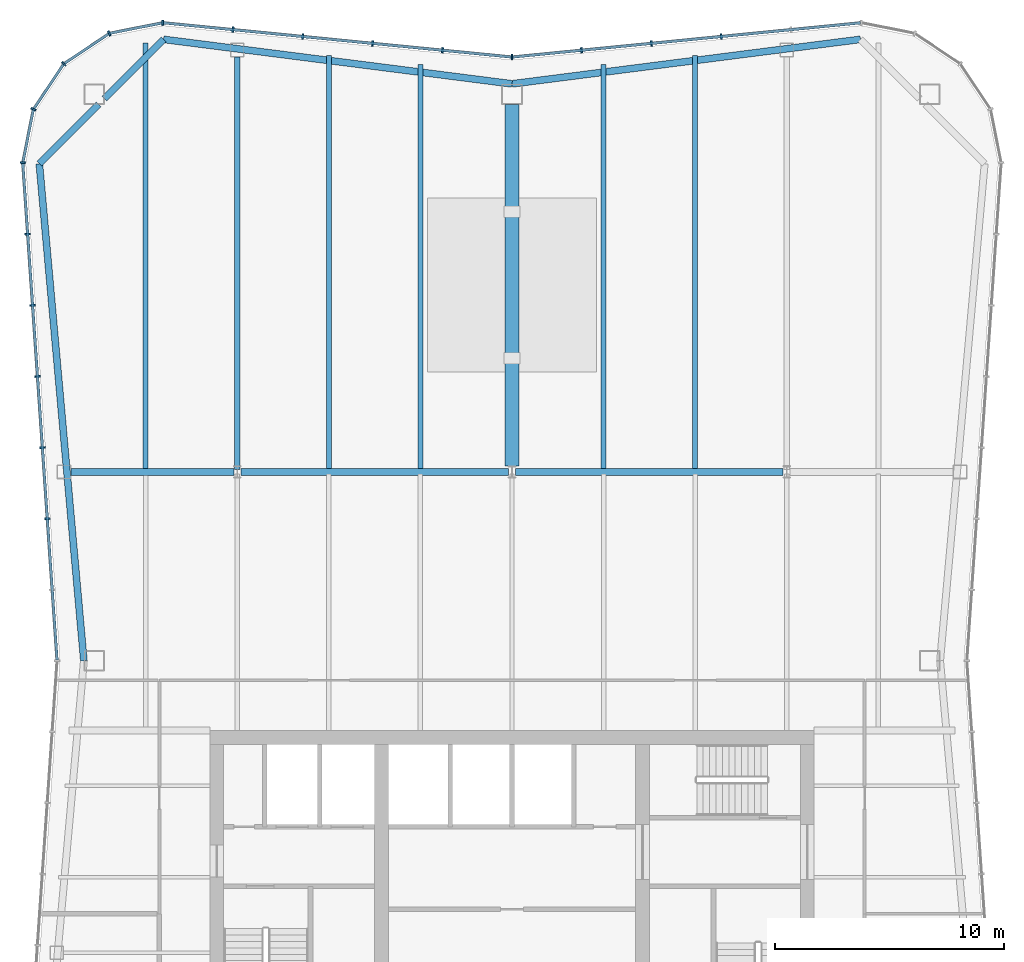
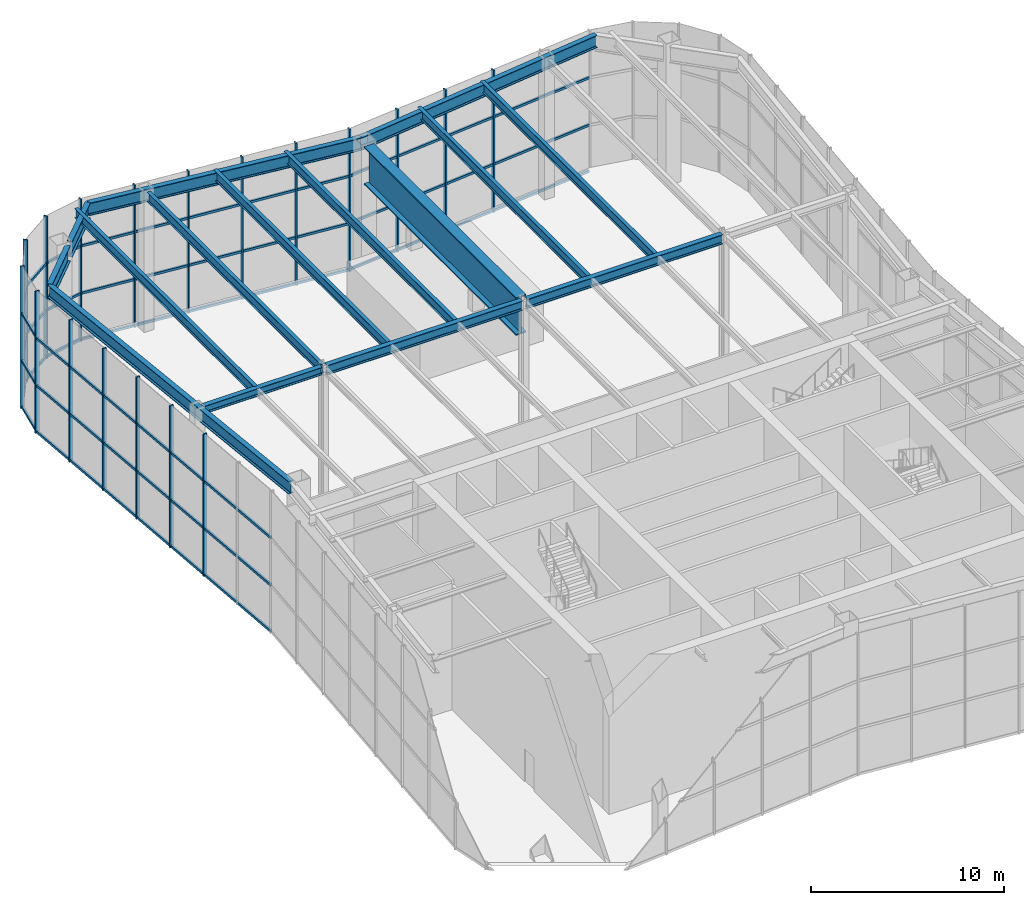
# One storey, part 6 of 16: 39 members, 15 beams, 3 elements without a shape of their own.
"""IFC4 building model written with IfcOpenShell, lengths in metres."""

from ifc_helpers import new_model, si_unit, direction, frame, origin, origin_2d, place, context, subcontext, project, spatial, rectangle, i_section, extrude, material, material_profile, profile_set, type_object, element, aggregate, save


model = new_model("IFC4")

# Units and contexts
model_context = context("Model", 3, precision=1e-05, world=origin(), true_north=direction((0.0, 1.0)))
body_context = subcontext(model_context, "Body", "Model", "MODEL_VIEW")
ifc_project = project(units=[si_unit("LENGTHUNIT", "METRE"), si_unit("AREAUNIT", "SQUARE_METRE"), si_unit("VOLUMEUNIT", "CUBIC_METRE"), si_unit("PLANEANGLEUNIT", "RADIAN"), si_unit("MASSUNIT", "GRAM", prefix="KILO")], contexts=[model_context])

# Site, building, storey
site_placement = place(None, origin())
site = spatial("IfcSite", under=ifc_project, at=site_placement, CompositionType="ELEMENT")
building_placement = place(site_placement, origin())
building = spatial("IfcBuilding", under=site, at=building_placement, Name="Verdant Reach Tower", CompositionType="ELEMENT")
storey_placement = place(building_placement, frame((0.0, 0.0, 340.5)))
storey = spatial("IfcBuildingStorey", under=building, at=storey_placement, Name="L78 Damper", CompositionType="ELEMENT", Elevation=340.5)

# Curtain wall, members
ifc_material_1 = material(Name="Anodised aluminium", Category="aluminium")
curtain_wall_type = type_object("IfcCurtainWallType", Name="EN-CW SYSTEM CROWN DAMPER", PredefinedType="NOTDEFINED", material=ifc_material_1)
curtain_wall_1_placement = place(storey_placement, origin())
curtain_wall_1 = element("IfcCurtainWall", 1, at=curtain_wall_1_placement, inside=storey, type_object=curtain_wall_type, Name="Curtain wall north, L78", PredefinedType="NOTDEFINED")
ifc_material_profile_1 = material_profile(ifc_material_1, rectangle(XDim=0.238037109375, YDim=0.080078125, at=origin_2d()), Name="Mullion 80x240")
ifc_profile_set_1 = profile_set([ifc_material_profile_1], Name="Anodised aluminium")
member_type_1 = type_object("IfcMemberType", Name="EN-MULLION PLANT", PredefinedType="MULLION", material=ifc_profile_set_1)
member_1_placement = place(storey_placement, frame((9.138427734375, 68.518310546875, -0.35009765625), z_axis=(0.0, 0.0, 1.0), x_axis=(-0.09788826992, 0.995197410875, 0.0)))
member_1 = element("IfcMember", 2, at=member_1_placement, type_object=member_type_1, Name="Mullion north face part 1 3, L78", PredefinedType="MULLION", context=body_context, shape_type="SweptSolid", body=[
    extrude(rectangle(XDim=0.238037109375, YDim=0.080078125, at=origin_2d()), origin(), (0.0, 0.0, 1.0), 9.0),
])
member_2_placement = place(storey_placement, frame((6.08837890625, 68.218505859375, -0.35009765625), z_axis=(0.0, 0.0, 1.0), x_axis=(-0.09788826992, 0.995197410875, 0.0)))
member_2 = element("IfcMember", 3, at=member_2_placement, type_object=member_type_1, Name="Mullion north face part 1 4, L78", PredefinedType="MULLION", context=body_context, shape_type="SweptSolid", body=[
    extrude(rectangle(XDim=0.238037109375, YDim=0.080078125, at=origin_2d()), origin(), (0.0, 0.0, 1.0), 9.0),
])
member_3_placement = place(storey_placement, frame((3.038330078125, 67.91845703125, -0.35009765625), z_axis=(0.0, 0.0, 1.0), x_axis=(-0.09788826992, 0.995197410875, 0.0)))
member_3 = element("IfcMember", 4, at=member_3_placement, type_object=member_type_1, Name="Mullion north face part 1 5, L78", PredefinedType="MULLION", context=body_context, shape_type="SweptSolid", body=[
    extrude(rectangle(XDim=0.238037109375, YDim=0.080078125, at=origin_2d()), origin(), (0.0, 0.0, 1.0), 9.0),
])
member_4_placement = place(storey_placement, frame((0.0, 67.618896484375, -0.35009765625), z_axis=(0.0, 0.0, 1.0), x_axis=(0.0, 1.0, 0.0)))
member_4 = element("IfcMember", 5, at=member_4_placement, type_object=member_type_1, Name="Mullion north face part 2 1, L78", PredefinedType="MULLION", context=body_context, shape_type="SweptSolid", body=[
    extrude(rectangle(XDim=0.238037109375, YDim=0.080078125, at=origin_2d()), origin(), (0.0, 0.0, 1.0), 9.0),
])
member_5_placement = place(storey_placement, frame((-3.038330078125, 67.91845703125, -0.35009765625), z_axis=(0.0, 0.0, 1.0), x_axis=(0.09788826992, 0.995197410875, 0.0)))
member_5 = element("IfcMember", 6, at=member_5_placement, type_object=member_type_1, Name="Mullion north face part 2 2, L78", PredefinedType="MULLION", context=body_context, shape_type="SweptSolid", body=[
    extrude(rectangle(XDim=0.238037109375, YDim=0.080078125, at=origin_2d()), origin(), (0.0, 0.0, 1.0), 9.0),
])
member_6_placement = place(storey_placement, frame((-6.08837890625, 68.218505859375, -0.35009765625), z_axis=(0.0, 0.0, 1.0), x_axis=(0.09788826992, 0.995197410875, 0.0)))
member_6 = element("IfcMember", 7, at=member_6_placement, type_object=member_type_1, Name="Mullion north face part 2 3, L78", PredefinedType="MULLION", context=body_context, shape_type="SweptSolid", body=[
    extrude(rectangle(XDim=0.238037109375, YDim=0.080078125, at=origin_2d()), origin(), (0.0, 0.0, 1.0), 9.0),
])
member_7_placement = place(storey_placement, frame((-9.138427734375, 68.518310546875, -0.35009765625), z_axis=(0.0, 0.0, 1.0), x_axis=(0.09788826992, 0.995197410875, 0.0)))
member_7 = element("IfcMember", 8, at=member_7_placement, type_object=member_type_1, Name="Mullion north face part 2 4, L78", PredefinedType="MULLION", context=body_context, shape_type="SweptSolid", body=[
    extrude(rectangle(XDim=0.238037109375, YDim=0.080078125, at=origin_2d()), origin(), (0.0, 0.0, 1.0), 9.0),
])
member_8_placement = place(storey_placement, frame((-12.188232421875, 68.818359375, -0.35009765625), z_axis=(0.0, 0.0, 1.0), x_axis=(0.09788826992, 0.995197410875, 0.0)))
member_8 = element("IfcMember", 9, at=member_8_placement, type_object=member_type_1, Name="Mullion north face part 2 5, L78", PredefinedType="MULLION", context=body_context, shape_type="SweptSolid", body=[
    extrude(rectangle(XDim=0.238037109375, YDim=0.080078125, at=origin_2d()), origin(), (0.0, 0.0, 1.0), 9.0),
])

curtain_wall_2_placement = place(storey_placement, origin())
curtain_wall_2 = element("IfcCurtainWall", 10, at=curtain_wall_2_placement, inside=storey, type_object=curtain_wall_type, Name="Curtain wall north-west corner, L78", PredefinedType="NOTDEFINED")
member_9_placement = place(storey_placement, frame((-15.255859375, 69.118896484375, -0.35009765625), z_axis=(0.0, 0.0, 1.0), x_axis=(-0.049127596288, 0.998792510626, 0.0)))
member_9 = element("IfcMember", 11, at=member_9_placement, type_object=member_type_1, Name="Mullion north-west corner 1, L78", PredefinedType="MULLION", context=body_context, shape_type="SweptSolid", body=[
    extrude(rectangle(XDim=0.238037109375, YDim=0.080078125, at=origin_2d()), origin(), (0.0, 0.0, 1.0), 9.0),
])
member_10_placement = place(storey_placement, frame((-17.591552734375, 68.6533203125, -0.35009765625), z_axis=(0.0, 0.0, 1.0), x_axis=(-0.382693853776, 0.923875215753, 0.0)))
member_10 = element("IfcMember", 12, at=member_10_placement, type_object=member_type_1, Name="Mullion north-west corner 2, L78", PredefinedType="MULLION", context=body_context, shape_type="SweptSolid", body=[
    extrude(rectangle(XDim=0.238037109375, YDim=0.080078125, at=origin_2d()), origin(), (0.0, 0.0, 1.0), 9.0),
])
member_11_placement = place(storey_placement, frame((-19.57666015625, 67.32666015625, -0.35009765625), z_axis=(0.0, 0.0, 1.0), x_axis=(-0.707106781187, 0.707106781187, 0.0)))
member_11 = element("IfcMember", 13, at=member_11_placement, type_object=member_type_1, Name="Mullion north-west corner 3, L78", PredefinedType="MULLION", context=body_context, shape_type="SweptSolid", body=[
    extrude(rectangle(XDim=0.238037109375, YDim=0.080078125, at=origin_2d()), origin(), (0.0, 0.0, 1.0), 9.0),
])
member_12_placement = place(storey_placement, frame((-20.9033203125, 65.341552734375, -0.35009765625), z_axis=(0.0, 0.0, 1.0), x_axis=(-0.923875215753, 0.382693853776, 0.0)))
member_12 = element("IfcMember", 14, at=member_12_placement, type_object=member_type_1, Name="Mullion north-west corner 4, L78", PredefinedType="MULLION", context=body_context, shape_type="SweptSolid", body=[
    extrude(rectangle(XDim=0.238037109375, YDim=0.080078125, at=origin_2d()), origin(), (0.0, 0.0, 1.0), 9.0),
])

curtain_wall_3_placement = place(storey_placement, origin())
curtain_wall_3 = element("IfcCurtainWall", 15, at=curtain_wall_3_placement, inside=storey, type_object=curtain_wall_type, Name="Curtain wall west, L78", PredefinedType="NOTDEFINED")
member_13_placement = place(storey_placement, frame((-21.36865234375, 63.007568359375, -0.35009765625), z_axis=(0.0, 0.0, 1.0), x_axis=(-0.997969180898, 0.063698618332, 0.0)))
member_13 = element("IfcMember", 16, at=member_13_placement, type_object=member_type_1, Name="Mullion west face part 1 1, L78", PredefinedType="MULLION", context=body_context, shape_type="SweptSolid", body=[
    extrude(rectangle(XDim=0.238037109375, YDim=0.080078125, at=origin_2d()), origin(), (0.0, 0.0, 1.0), 9.0),
])
member_14_placement = place(storey_placement, frame((-21.154541015625, 59.884765625, -0.35009765625), z_axis=(0.0, 0.0, 1.0), x_axis=(-0.997630328423, -0.068802091615, 0.0)))
member_14 = element("IfcMember", 17, at=member_14_placement, type_object=member_type_1, Name="Mullion west face part 1 2, L78", PredefinedType="MULLION", context=body_context, shape_type="SweptSolid", body=[
    extrude(rectangle(XDim=0.238037109375, YDim=0.080078125, at=origin_2d()), origin(), (0.0, 0.0, 1.0), 9.0),
])
member_15_placement = place(storey_placement, frame((-20.940185546875, 56.777587890625, -0.35009765625), z_axis=(0.0, 0.0, 1.0), x_axis=(-0.997630328423, -0.068802091615, 0.0)))
member_15 = element("IfcMember", 18, at=member_15_placement, type_object=member_type_1, Name="Mullion west face part 1 3, L78", PredefinedType="MULLION", context=body_context, shape_type="SweptSolid", body=[
    extrude(rectangle(XDim=0.238037109375, YDim=0.080078125, at=origin_2d()), origin(), (0.0, 0.0, 1.0), 9.0),
])
member_16_placement = place(storey_placement, frame((-20.725830078125, 53.67041015625, -0.35009765625), z_axis=(0.0, 0.0, 1.0), x_axis=(-0.997630328423, -0.068802091615, 0.0)))
member_16 = element("IfcMember", 19, at=member_16_placement, type_object=member_type_1, Name="Mullion west face part 1 4, L78", PredefinedType="MULLION", context=body_context, shape_type="SweptSolid", body=[
    extrude(rectangle(XDim=0.238037109375, YDim=0.080078125, at=origin_2d()), origin(), (0.0, 0.0, 1.0), 9.0),
])
member_17_placement = place(storey_placement, frame((-20.511474609375, 50.563232421875, -0.35009765625), z_axis=(0.0, 0.0, 1.0), x_axis=(-0.997630328423, -0.068802091615, 0.0)))
member_17 = element("IfcMember", 20, at=member_17_placement, type_object=member_type_1, Name="Mullion west face part 1 5, L78", PredefinedType="MULLION", context=body_context, shape_type="SweptSolid", body=[
    extrude(rectangle(XDim=0.238037109375, YDim=0.080078125, at=origin_2d()), origin(), (0.0, 0.0, 1.0), 9.0),
])
member_18_placement = place(storey_placement, frame((-20.29736328125, 47.4560546875, -0.35009765625), z_axis=(0.0, 0.0, 1.0), x_axis=(-0.997630328423, -0.068802091615, 0.0)))
member_18 = element("IfcMember", 21, at=member_18_placement, type_object=member_type_1, Name="Mullion west face part 1 6, L78", PredefinedType="MULLION", context=body_context, shape_type="SweptSolid", body=[
    extrude(rectangle(XDim=0.238037109375, YDim=0.080078125, at=origin_2d()), origin(), (0.0, 0.0, 1.0), 9.0),
])

# Member
ifc_material_profile_2 = material_profile(ifc_material_1, rectangle(XDim=0.1201171875, YDim=0.14990234375, at=origin_2d()), Name="Transom 150x120")
ifc_profile_set_2 = profile_set([ifc_material_profile_2], Name="Anodised aluminium")
member_type_2 = type_object("IfcMemberType", Name="EN-TRANSOM PLANT", PredefinedType="USERDEFINED", material=ifc_profile_set_2)
member_19_placement = place(storey_placement, frame((15.216064453125, 69.114990234375, -0.27490234375), z_axis=(-0.995200989722, -0.097851878144, 0.0), x_axis=(0.097851878144, -0.995200989722, 0.0)))
member_19 = element("IfcMember", 22, at=member_19_placement, type_object=member_type_2, Name="Transom north face part 1 1.1, L78", ObjectType="TRANSOM", PredefinedType="USERDEFINED", context=body_context, shape_type="SweptSolid", body=[
    extrude(rectangle(XDim=0.1201171875, YDim=0.14990234375, at=origin_2d()), origin(), (0.0, 0.0, 1.0), 15.24951171875),
])

member_20_placement = place(storey_placement, frame((15.216064453125, 69.114990234375, 2.64990234375), z_axis=(-0.995200989722, -0.097851878144, 0.0), x_axis=(0.097851878144, -0.995200989722, 0.0)))
member_20 = element("IfcMember", 23, at=member_20_placement, type_object=member_type_2, Name="Transom north face part 1 1.2, L78", ObjectType="TRANSOM", PredefinedType="USERDEFINED", context=body_context, shape_type="SweptSolid", body=[
    extrude(rectangle(XDim=0.1201171875, YDim=0.14990234375, at=origin_2d()), origin(), (0.0, 0.0, 1.0), 15.24951171875),
])

member_21_placement = place(storey_placement, frame((15.216064453125, 69.114990234375, 5.64990234375), z_axis=(-0.995200989722, -0.097851878144, 0.0), x_axis=(0.097851878144, -0.995200989722, 0.0)))
member_21 = element("IfcMember", 24, at=member_21_placement, type_object=member_type_2, Name="Transom north face part 1 1.3, L78", ObjectType="TRANSOM", PredefinedType="USERDEFINED", context=body_context, shape_type="SweptSolid", body=[
    extrude(rectangle(XDim=0.1201171875, YDim=0.14990234375, at=origin_2d()), origin(), (0.0, 0.0, 1.0), 15.24951171875),
])

member_22_placement = place(storey_placement, frame((-0.039794921875, 67.622802734375, -0.27490234375), z_axis=(-0.995200989722, 0.097851878144, 0.0), x_axis=(-0.097851878144, -0.995200989722, 0.0)))
member_22 = element("IfcMember", 25, at=member_22_placement, type_object=member_type_2, Name="Transom north face part 2 1.1, L78", ObjectType="TRANSOM", PredefinedType="USERDEFINED", context=body_context, shape_type="SweptSolid", body=[
    extrude(rectangle(XDim=0.1201171875, YDim=0.14990234375, at=origin_2d()), origin(), (0.0, 0.0, 1.0), 15.24951171875),
])

member_23_placement = place(storey_placement, frame((-0.039794921875, 67.622802734375, 2.64990234375), z_axis=(-0.995200989722, 0.097851878144, 0.0), x_axis=(-0.097851878144, -0.995200989722, 0.0)))
member_23 = element("IfcMember", 26, at=member_23_placement, type_object=member_type_2, Name="Transom north face part 2 1.2, L78", ObjectType="TRANSOM", PredefinedType="USERDEFINED", context=body_context, shape_type="SweptSolid", body=[
    extrude(rectangle(XDim=0.1201171875, YDim=0.14990234375, at=origin_2d()), origin(), (0.0, 0.0, 1.0), 15.24951171875),
])

member_24_placement = place(storey_placement, frame((-0.039794921875, 67.622802734375, 5.64990234375), z_axis=(-0.995200989722, 0.097851878144, 0.0), x_axis=(-0.097851878144, -0.995200989722, 0.0)))
member_24 = element("IfcMember", 27, at=member_24_placement, type_object=member_type_2, Name="Transom north face part 2 1.3, L78", ObjectType="TRANSOM", PredefinedType="USERDEFINED", context=body_context, shape_type="SweptSolid", body=[
    extrude(rectangle(XDim=0.1201171875, YDim=0.14990234375, at=origin_2d()), origin(), (0.0, 0.0, 1.0), 15.24951171875),
])

aggregate(curtain_wall_1, [member_1, member_2, member_3, member_19, member_20, member_21, member_4, member_5, member_6, member_7, member_8, member_22, member_23, member_24])

member_25_placement = place(storey_placement, frame((-15.295166015625, 69.111083984375, -0.27490234375), z_axis=(-0.980706937788, -0.195483764476, 0.0), x_axis=(0.195483764476, -0.980706937788, 0.0)))
member_25 = element("IfcMember", 28, at=member_25_placement, type_object=member_type_2, Name="Transom north-west corner 1.1, L78", ObjectType="TRANSOM", PredefinedType="USERDEFINED", context=body_context, shape_type="SweptSolid", body=[
    extrude(rectangle(XDim=0.1201171875, YDim=0.14990234375, at=origin_2d()), origin(), (0.0, 0.0, 1.0), 2.3017578125),
])

member_26_placement = place(storey_placement, frame((-17.625, 68.631103515625, -0.27490234375), z_axis=(-0.831398626828, -0.5556764556, 0.0), x_axis=(0.5556764556, -0.831398626828, 0.0)))
member_26 = element("IfcMember", 29, at=member_26_placement, type_object=member_type_2, Name="Transom north-west corner 2.1, L78", ObjectType="TRANSOM", PredefinedType="USERDEFINED", context=body_context, shape_type="SweptSolid", body=[
    extrude(rectangle(XDim=0.1201171875, YDim=0.14990234375, at=origin_2d()), origin(), (0.0, 0.0, 1.0), 2.3076171875),
])

member_27_placement = place(storey_placement, frame((-19.598876953125, 67.29345703125, -0.27490234375), z_axis=(-0.5556764556, -0.831398626828, 0.0), x_axis=(0.831398626828, -0.5556764556, 0.0)))
member_27 = element("IfcMember", 30, at=member_27_placement, type_object=member_type_2, Name="Transom north-west corner 3.1, L78", ObjectType="TRANSOM", PredefinedType="USERDEFINED", context=body_context, shape_type="SweptSolid", body=[
    extrude(rectangle(XDim=0.1201171875, YDim=0.14990234375, at=origin_2d()), origin(), (0.0, 0.0, 1.0), 2.3076171875),
])

member_28_placement = place(storey_placement, frame((-20.9111328125, 65.302490234375, -0.27490234375), z_axis=(-0.195524121666, -0.980698892549, 0.0), x_axis=(0.980698892549, -0.195524121666, 0.0)))
member_28 = element("IfcMember", 31, at=member_28_placement, type_object=member_type_2, Name="Transom north-west corner 4.1, L78", ObjectType="TRANSOM", PredefinedType="USERDEFINED", context=body_context, shape_type="SweptSolid", body=[
    extrude(rectangle(XDim=0.1201171875, YDim=0.14990234375, at=origin_2d()), origin(), (0.0, 0.0, 1.0), 2.300048828125),
])

member_29_placement = place(storey_placement, frame((-15.295166015625, 69.111083984375, 2.64990234375), z_axis=(-0.980706937788, -0.195483764476, 0.0), x_axis=(0.195483764476, -0.980706937788, 0.0)))
member_29 = element("IfcMember", 32, at=member_29_placement, type_object=member_type_2, Name="Transom north-west corner 1.2, L78", ObjectType="TRANSOM", PredefinedType="USERDEFINED", context=body_context, shape_type="SweptSolid", body=[
    extrude(rectangle(XDim=0.1201171875, YDim=0.14990234375, at=origin_2d()), origin(), (0.0, 0.0, 1.0), 2.3017578125),
])

member_30_placement = place(storey_placement, frame((-17.625, 68.631103515625, 2.64990234375), z_axis=(-0.831398626828, -0.5556764556, 0.0), x_axis=(0.5556764556, -0.831398626828, 0.0)))
member_30 = element("IfcMember", 33, at=member_30_placement, type_object=member_type_2, Name="Transom north-west corner 2.2, L78", ObjectType="TRANSOM", PredefinedType="USERDEFINED", context=body_context, shape_type="SweptSolid", body=[
    extrude(rectangle(XDim=0.1201171875, YDim=0.14990234375, at=origin_2d()), origin(), (0.0, 0.0, 1.0), 2.3076171875),
])

member_31_placement = place(storey_placement, frame((-19.598876953125, 67.29345703125, 2.64990234375), z_axis=(-0.5556764556, -0.831398626828, 0.0), x_axis=(0.831398626828, -0.5556764556, 0.0)))
member_31 = element("IfcMember", 34, at=member_31_placement, type_object=member_type_2, Name="Transom north-west corner 3.2, L78", ObjectType="TRANSOM", PredefinedType="USERDEFINED", context=body_context, shape_type="SweptSolid", body=[
    extrude(rectangle(XDim=0.1201171875, YDim=0.14990234375, at=origin_2d()), origin(), (0.0, 0.0, 1.0), 2.3076171875),
])

member_32_placement = place(storey_placement, frame((-20.9111328125, 65.302490234375, 2.64990234375), z_axis=(-0.195524121666, -0.980698892549, 0.0), x_axis=(0.980698892549, -0.195524121666, 0.0)))
member_32 = element("IfcMember", 35, at=member_32_placement, type_object=member_type_2, Name="Transom north-west corner 4.2, L78", ObjectType="TRANSOM", PredefinedType="USERDEFINED", context=body_context, shape_type="SweptSolid", body=[
    extrude(rectangle(XDim=0.1201171875, YDim=0.14990234375, at=origin_2d()), origin(), (0.0, 0.0, 1.0), 2.300048828125),
])

member_33_placement = place(storey_placement, frame((-15.295166015625, 69.111083984375, 5.64990234375), z_axis=(-0.980706937788, -0.195483764476, 0.0), x_axis=(0.195483764476, -0.980706937788, 0.0)))
member_33 = element("IfcMember", 36, at=member_33_placement, type_object=member_type_2, Name="Transom north-west corner 1.3, L78", ObjectType="TRANSOM", PredefinedType="USERDEFINED", context=body_context, shape_type="SweptSolid", body=[
    extrude(rectangle(XDim=0.1201171875, YDim=0.14990234375, at=origin_2d()), origin(), (0.0, 0.0, 1.0), 2.3017578125),
])

member_34_placement = place(storey_placement, frame((-17.625, 68.631103515625, 5.64990234375), z_axis=(-0.831398626828, -0.5556764556, 0.0), x_axis=(0.5556764556, -0.831398626828, 0.0)))
member_34 = element("IfcMember", 37, at=member_34_placement, type_object=member_type_2, Name="Transom north-west corner 2.3, L78", ObjectType="TRANSOM", PredefinedType="USERDEFINED", context=body_context, shape_type="SweptSolid", body=[
    extrude(rectangle(XDim=0.1201171875, YDim=0.14990234375, at=origin_2d()), origin(), (0.0, 0.0, 1.0), 2.3076171875),
])

member_35_placement = place(storey_placement, frame((-19.598876953125, 67.29345703125, 5.64990234375), z_axis=(-0.5556764556, -0.831398626828, 0.0), x_axis=(0.831398626828, -0.5556764556, 0.0)))
member_35 = element("IfcMember", 38, at=member_35_placement, type_object=member_type_2, Name="Transom north-west corner 3.3, L78", ObjectType="TRANSOM", PredefinedType="USERDEFINED", context=body_context, shape_type="SweptSolid", body=[
    extrude(rectangle(XDim=0.1201171875, YDim=0.14990234375, at=origin_2d()), origin(), (0.0, 0.0, 1.0), 2.3076171875),
])

member_36_placement = place(storey_placement, frame((-20.9111328125, 65.302490234375, 5.64990234375), z_axis=(-0.195524121666, -0.980698892549, 0.0), x_axis=(0.980698892549, -0.195524121666, 0.0)))
member_36 = element("IfcMember", 39, at=member_36_placement, type_object=member_type_2, Name="Transom north-west corner 4.3, L78", ObjectType="TRANSOM", PredefinedType="USERDEFINED", context=body_context, shape_type="SweptSolid", body=[
    extrude(rectangle(XDim=0.1201171875, YDim=0.14990234375, at=origin_2d()), origin(), (0.0, 0.0, 1.0), 2.300048828125),
])

aggregate(curtain_wall_2, [member_9, member_10, member_11, member_12, member_25, member_26, member_27, member_28, member_29, member_30, member_31, member_32, member_33, member_34, member_35, member_36])

member_37_placement = place(storey_placement, frame((-21.365966796875, 62.9677734375, -0.27490234375), z_axis=(0.068761218296, -0.997633146431, 0.0), x_axis=(0.997633146431, 0.068761218296, 0.0)))
member_37 = element("IfcMember", 40, at=member_37_placement, type_object=member_type_2, Name="Transom west face part 1 1.1, L78", ObjectType="TRANSOM", PredefinedType="USERDEFINED", context=body_context, shape_type="SweptSolid", body=[
    extrude(rectangle(XDim=0.1201171875, YDim=0.14990234375, at=origin_2d()), origin(), (0.0, 0.0, 1.0), 21.7294921875),
])

member_38_placement = place(storey_placement, frame((-21.365966796875, 62.9677734375, 2.64990234375), z_axis=(0.068761218296, -0.997633146431, 0.0), x_axis=(0.997633146431, 0.068761218296, 0.0)))
member_38 = element("IfcMember", 41, at=member_38_placement, type_object=member_type_2, Name="Transom west face part 1 1.2, L78", ObjectType="TRANSOM", PredefinedType="USERDEFINED", context=body_context, shape_type="SweptSolid", body=[
    extrude(rectangle(XDim=0.1201171875, YDim=0.14990234375, at=origin_2d()), origin(), (0.0, 0.0, 1.0), 21.7294921875),
])

member_39_placement = place(storey_placement, frame((-21.365966796875, 62.9677734375, 5.64990234375), z_axis=(0.068761218296, -0.997633146431, 0.0), x_axis=(0.997633146431, 0.068761218296, 0.0)))
member_39 = element("IfcMember", 42, at=member_39_placement, type_object=member_type_2, Name="Transom west face part 1 1.3, L78", ObjectType="TRANSOM", PredefinedType="USERDEFINED", context=body_context, shape_type="SweptSolid", body=[
    extrude(rectangle(XDim=0.1201171875, YDim=0.14990234375, at=origin_2d()), origin(), (0.0, 0.0, 1.0), 21.7294921875),
])

aggregate(curtain_wall_3, [member_13, member_14, member_15, member_16, member_17, member_18, member_37, member_38, member_39])

# Beams
ifc_material_2 = material(Name="Steel S355", Category="steel")
ifc_material_profile_3 = material_profile(ifc_material_2, i_section(OverallWidth=0.300048828125, OverallDepth=0.489990234375, WebThickness=0.011962890625, FlangeThickness=0.02294921875, FilletRadius=0.027099609375, at=origin_2d()), Name="HEA 500")
ifc_profile_set_3 = profile_set([ifc_material_profile_3], Name="Steel S355")
beam_type_1 = type_object("IfcBeamType", Name="ST-BEAM-HEA500", PredefinedType="BEAM", material=ifc_profile_set_3)
beam_1_placement = place(storey_placement, frame((-19.26904296875, 49.5, 8.60498046875), z_axis=(1.0, 0.0, 0.0), x_axis=(0.0, 1.0, 0.0)))
element("IfcBeam", 43, at=beam_1_placement, inside=storey, type_object=beam_type_1, Name="Row girder, L78 Damper", PredefinedType="BEAM", context=body_context, shape_type="SweptSolid", body=[
    extrude(i_section(OverallWidth=0.300048828125, OverallDepth=0.489990234375, WebThickness=0.011962890625, FlangeThickness=0.02294921875, FilletRadius=0.027099609375, at=origin_2d()), origin(), (0.0, 0.0, 1.0), 7.115966796875),
])
ifc_material_profile_4 = material_profile(ifc_material_2, i_section(OverallWidth=0.300048828125, OverallDepth=0.60009765625, WebThickness=0.015380859375, FlangeThickness=0.030029296875, FilletRadius=0.027099609375, at=origin_2d()), Name="HEB 600")
ifc_profile_set_4 = profile_set([ifc_material_profile_4], Name="Steel S355")
beam_type_2 = type_object("IfcBeamType", Name="ST-BEAM-HEB600", PredefinedType="BEAM", material=ifc_profile_set_4)
for number, where, z_axis, x_axis, name in (
    (44, (-11.846923828125, 49.5, 8.550048828125), (1.0, 0.0, 0.0), (0.0, 1.0, 0.0), "Row girder, L78 Damper"),
    (45, (0.153076171875, 49.5, 8.550048828125), (1.0, 0.0, 0.0), (0.0, 1.0, 0.0), "Row girder, L78 Damper"),
):
    element("IfcBeam", number, at=place(storey_placement, frame(where, z_axis=z_axis, x_axis=x_axis)), inside=storey, type_object=beam_type_2, Name=name, PredefinedType="BEAM", context=body_context, shape_type="SweptSolid", body=[
        extrude(i_section(OverallWidth=0.300048828125, OverallDepth=0.60009765625, WebThickness=0.015380859375, FlangeThickness=0.030029296875, FilletRadius=0.027099609375, at=origin_2d()), origin(), (0.0, 0.0, 1.0), 11.69384765625),
    ])
ifc_material_profile_5 = material_profile(ifc_material_2, i_section(OverallWidth=0.60009765625, OverallDepth=2.39990234375, WebThickness=0.0400390625, FlangeThickness=0.080078125, at=origin_2d()), Name="PG 2400x600x40x80")
ifc_profile_set_5 = profile_set([ifc_material_profile_5], Name="Steel S355")
beam_type_3 = type_object("IfcBeamType", Name="ST-BEAM-PG2400x600x40x80", PredefinedType="BEAM", material=ifc_profile_set_5)
beam_2_placement = place(storey_placement, frame((0.0, 49.761962890625, 7.64990234375), z_axis=(0.0, 1.0, 0.0), x_axis=(-1.0, 0.0, 0.0)))
element("IfcBeam", 46, at=beam_2_placement, inside=storey, type_object=beam_type_3, Name="Damper support girder", PredefinedType="BEAM", context=body_context, shape_type="SweptSolid", body=[
    extrude(i_section(OverallWidth=0.60009765625, OverallDepth=2.39990234375, WebThickness=0.0400390625, FlangeThickness=0.080078125, at=origin_2d()), origin(), (0.0, 0.0, 1.0), 15.7880859375),
])
ifc_material_profile_6 = material_profile(ifc_material_2, i_section(OverallWidth=0.219970703125, OverallDepth=0.60009765625, WebThickness=0.011962890625, FlangeThickness=0.01904296875, FilletRadius=0.02392578125, at=origin_2d()), Name="IPE 600")
ifc_profile_set_6 = profile_set([ifc_material_profile_6], Name="Steel S355")
beam_type_4 = type_object("IfcBeamType", Name="ST-JOIST-IPE600", PredefinedType="JOIST", material=ifc_profile_set_6)
beam_3_placement = place(storey_placement, frame((-16.0, 49.60009765625, 8.550048828125), z_axis=(0.0, 1.0, 0.0), x_axis=(-1.0, 0.0, 0.0)))
element("IfcBeam", 47, at=beam_3_placement, inside=storey, type_object=beam_type_4, Name="Floor joist, L78 Damper", PredefinedType="JOIST", context=body_context, shape_type="SweptSolid", body=[
    extrude(i_section(OverallWidth=0.219970703125, OverallDepth=0.60009765625, WebThickness=0.011962890625, FlangeThickness=0.01904296875, FilletRadius=0.02392578125, at=origin_2d()), origin(), (0.0, 0.0, 1.0), 18.638916015625),
])
beam_4_placement = place(storey_placement, frame((-12.0, 49.60009765625, 8.550048828125), z_axis=(0.0, 1.0, 0.0), x_axis=(-1.0, 0.0, 0.0)))
element("IfcBeam", 48, at=beam_4_placement, inside=storey, type_object=beam_type_4, Name="Floor joist, L78 Damper", PredefinedType="JOIST", context=body_context, shape_type="SweptSolid", body=[
    extrude(i_section(OverallWidth=0.219970703125, OverallDepth=0.60009765625, WebThickness=0.011962890625, FlangeThickness=0.01904296875, FilletRadius=0.02392578125, at=origin_2d()), origin(), (0.0, 0.0, 1.0), 18.0302734375),
])
beam_5_placement = place(storey_placement, frame((-8.0, 49.60009765625, 8.550048828125), z_axis=(0.0, 1.0, 0.0), x_axis=(-1.0, 0.0, 0.0)))
element("IfcBeam", 49, at=beam_5_placement, inside=storey, type_object=beam_type_4, Name="Floor joist, L78 Damper", PredefinedType="JOIST", context=body_context, shape_type="SweptSolid", body=[
    extrude(i_section(OverallWidth=0.219970703125, OverallDepth=0.60009765625, WebThickness=0.011962890625, FlangeThickness=0.01904296875, FilletRadius=0.02392578125, at=origin_2d()), origin(), (0.0, 0.0, 1.0), 18.083984375),
])
for number, where, z_axis, x_axis, name in (
    (50, (-4.0, 49.60009765625, 8.550048828125), (0.0, 1.0, 0.0), (-1.0, 0.0, 0.0), "Floor joist, L78 Damper"),
    (51, (4.0, 49.60009765625, 8.550048828125), (0.0, 1.0, 0.0), (-1.0, 0.0, 0.0), "Floor joist, L78 Damper"),
):
    element("IfcBeam", number, at=place(storey_placement, frame(where, z_axis=z_axis, x_axis=x_axis)), inside=storey, type_object=beam_type_4, Name=name, PredefinedType="JOIST", context=body_context, shape_type="SweptSolid", body=[
        extrude(i_section(OverallWidth=0.219970703125, OverallDepth=0.60009765625, WebThickness=0.011962890625, FlangeThickness=0.01904296875, FilletRadius=0.02392578125, at=origin_2d()), origin(), (0.0, 0.0, 1.0), 17.6904296875),
    ])
beam_6_placement = place(storey_placement, frame((8.0, 49.60009765625, 8.550048828125), z_axis=(0.0, 1.0, 0.0), x_axis=(-1.0, 0.0, 0.0)))
element("IfcBeam", 52, at=beam_6_placement, inside=storey, type_object=beam_type_4, Name="Floor joist, L78 Damper", PredefinedType="JOIST", context=body_context, shape_type="SweptSolid", body=[
    extrude(i_section(OverallWidth=0.219970703125, OverallDepth=0.60009765625, WebThickness=0.011962890625, FlangeThickness=0.01904296875, FilletRadius=0.02392578125, at=origin_2d()), origin(), (0.0, 0.0, 1.0), 18.083984375),
])
ifc_material_profile_7 = material_profile(ifc_material_2, i_section(OverallWidth=0.300048828125, OverallDepth=0.800048828125, WebThickness=0.017578125, FlangeThickness=0.032958984375, FilletRadius=0.030029296875, at=origin_2d()), Name="HEB 800")
ifc_profile_set_7 = profile_set([ifc_material_profile_7], Name="Steel S355")
beam_type_5 = type_object("IfcBeamType", Name="ST-SPANDREL-HEB800", PredefinedType="SPANDREL", material=ifc_profile_set_7)
beam_7_placement = place(storey_placement, frame((-18.699951171875, 41.25, 8.449951171875), z_axis=(-0.089274399498, 0.996007069048, 0.0), x_axis=(-0.996007069048, -0.089274399498, 0.0)))
element("IfcBeam", 53, at=beam_7_placement, inside=storey, type_object=beam_type_5, Name="Edge beam, L78 Damper", PredefinedType="SPANDREL", context=body_context, shape_type="SweptSolid", body=[
    extrude(i_section(OverallWidth=0.300048828125, OverallDepth=0.800048828125, WebThickness=0.017578125, FlangeThickness=0.032958984375, FilletRadius=0.030029296875, at=origin_2d()), origin(), (0.0, 0.0, 1.0), 21.798583984375),
])
for number, where, z_axis, x_axis, name in (
    (54, (-15.22021484375, 68.394287109375, 8.449951171875), (0.991938889669, -0.126717162063, 0.0), (0.126717162063, 0.991938889669, 0.0), "Edge beam, L78 Damper"),
    (55, (0.0, 66.449951171875, 8.449951171875), (0.991938889669, 0.126717162063, 0.0), (-0.126717162063, 0.991938889669, 0.0), "Edge beam, L78 Damper"),
):
    element("IfcBeam", number, at=place(storey_placement, frame(where, z_axis=z_axis, x_axis=x_axis)), inside=storey, type_object=beam_type_5, Name=name, PredefinedType="SPANDREL", context=body_context, shape_type="SweptSolid", body=[
        extrude(i_section(OverallWidth=0.300048828125, OverallDepth=0.800048828125, WebThickness=0.017578125, FlangeThickness=0.032958984375, FilletRadius=0.030029296875, at=origin_2d()), origin(), (0.0, 0.0, 1.0), 15.343994140625),
    ])
ifc_material_profile_8 = material_profile(ifc_material_2, i_section(OverallWidth=0.302001953125, OverallDepth=1.008056640625, WebThickness=0.02099609375, FlangeThickness=0.0400390625, FilletRadius=0.030029296875, at=origin_2d()), Name="HEM 1000")
ifc_profile_set_8 = profile_set([ifc_material_profile_8], Name="Steel S355")
beam_type_6 = type_object("IfcBeamType", Name="ST-SPANDREL-HEM1000", PredefinedType="SPANDREL", material=ifc_profile_set_8)
beam_8_placement = place(storey_placement, frame((-20.64599609375, 62.96142578125, 8.345947265625), z_axis=(0.706639493403, 0.707573760369, 0.0), x_axis=(-0.707573760369, 0.706639493403, 0.0)))
element("IfcBeam", 56, at=beam_8_placement, inside=storey, type_object=beam_type_6, Name="Edge beam, L78 Damper", PredefinedType="SPANDREL", context=body_context, shape_type="SweptSolid", body=[
    extrude(i_section(OverallWidth=0.302001953125, OverallDepth=1.008056640625, WebThickness=0.02099609375, FlangeThickness=0.0400390625, FilletRadius=0.030029296875, at=origin_2d()), origin(), (0.0, 0.0, 1.0), 3.658447265625),
])
beam_9_placement = place(storey_placement, frame((-17.800048828125, 65.81103515625, 8.345947265625), z_axis=(0.706638520854, 0.707574731632, 0.0), x_axis=(-0.707574731632, 0.706638520854, 0.0)))
element("IfcBeam", 57, at=beam_9_placement, inside=storey, type_object=beam_type_6, Name="Edge beam, L78 Damper", PredefinedType="SPANDREL", context=body_context, shape_type="SweptSolid", body=[
    extrude(i_section(OverallWidth=0.302001953125, OverallDepth=1.008056640625, WebThickness=0.02099609375, FlangeThickness=0.0400390625, FilletRadius=0.030029296875, at=origin_2d()), origin(), (0.0, 0.0, 1.0), 3.65087890625),
])

save(model, "model.ifc")
